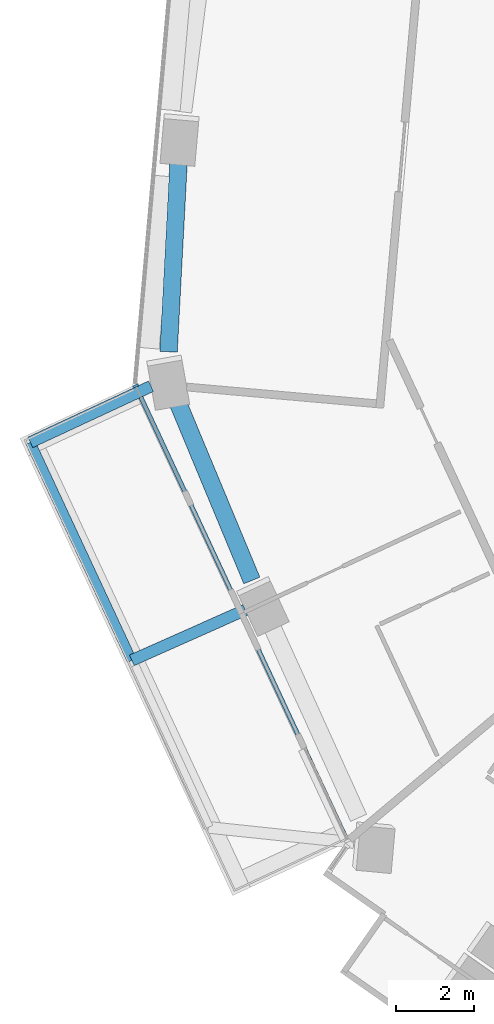
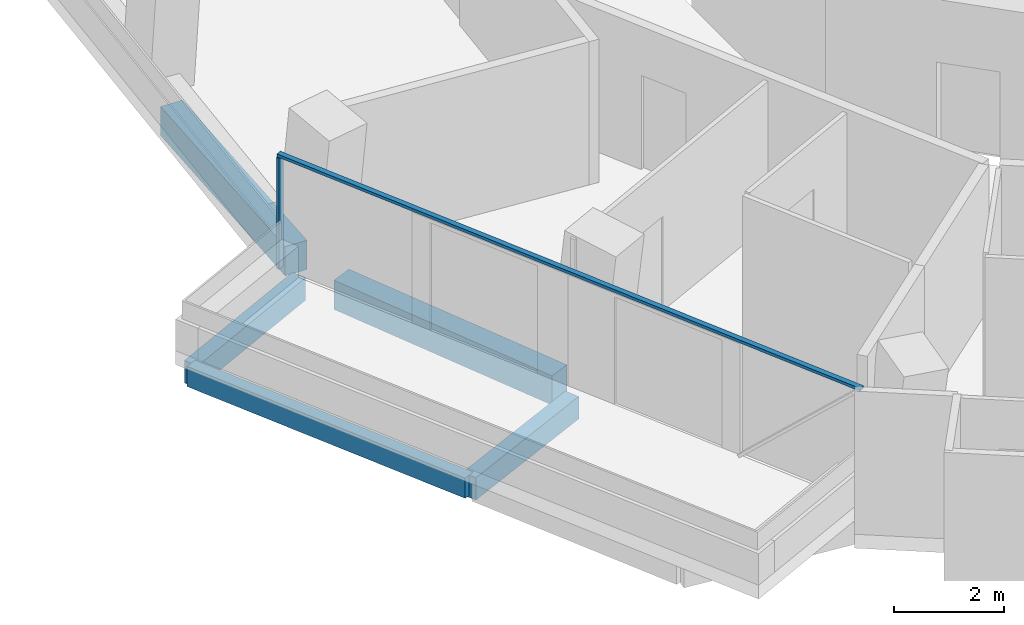
# One storey, part 4 of 23: 5 beams, 2 members, 1 element without a shape of its own.
"""IFC4 building model written with IfcOpenShell, lengths in metres."""

import ifcopenshell
import ifcopenshell.guid

model = None  # the IFC model being written
_history = None  # IfcOwnerHistory: only IFC2X3 demands one
_inside = {}  # id of a spatial element -> (the spatial element, [elements in it])
_under = {}  # id of a project, library or spatial element -> (it, [spatial elements below it])
_declared = {}  # id of a project -> (the project, [libraries it declares])
_typed = {}  # id of a type object -> (the type object, [elements of that type])
_made_of = {}  # id of a material, layer set ... -> (it, [elements and type objects made of it])


def new_model(schema):
    """Start an empty IFC model of exactly this schema.

    Asked for "IFC4X3", IfcOpenShell would pick the latest addendum, in which some entities
    have other attributes; the version numbers below select the first issue.
    IFC2X3 requires an IfcOwnerHistory on every rooted entity: one is made here for all.
    """
    global model, _history
    if schema == "IFC4X3":
        model = ifcopenshell.file(schema_version=(4, 3, 0, 0))
    else:
        model = ifcopenshell.file(schema=schema)
    _inside.clear()
    _under.clear()
    _declared.clear()
    _typed.clear()
    _made_of.clear()
    _history = None
    if model.schema == "IFC2X3":
        org = make("IfcOrganization", Name="unknown")
        user = make(
            "IfcPersonAndOrganization",
            ThePerson=make("IfcPerson", FamilyName="unknown"),
            TheOrganization=org,
        )
        app = make(
            "IfcApplication",
            ApplicationDeveloper=org,
            Version="unknown",
            ApplicationFullName="unknown",
            ApplicationIdentifier="unknown",
        )
        _history = make(
            "IfcOwnerHistory",
            OwningUser=user,
            OwningApplication=app,
            ChangeAction="ADDED",
            CreationDate=0,
        )
    return model


def make(cls, **values):
    """One entity of the class cls with the attributes given. An attribute that is None is left unset."""
    return model.create_entity(
        cls, **{name: value for name, value in values.items() if value is not None}
    )


def rooted(cls, **values):
    """An entity with a GlobalId (a new one), such as an element, a storey or a relation."""
    return make(cls, GlobalId=ifcopenshell.guid.new(), OwnerHistory=_history, **values)


def si_unit(unit_type, name, prefix=None):
    """IfcSIUnit, for example si_unit("LENGTHUNIT", "METRE", prefix="MILLI")."""
    return make("IfcSIUnit", UnitType=unit_type, Prefix=prefix, Name=name)


def assignment(units):
    """IfcUnitAssignment: the units of a project."""
    return None if units is None else make("IfcUnitAssignment", Units=units)


def point(xyz):
    """IfcCartesianPoint."""
    return None if xyz is None else make("IfcCartesianPoint", Coordinates=xyz)


def direction(xyz):
    """IfcDirection."""
    return None if xyz is None else make("IfcDirection", DirectionRatios=xyz)


def frame(location, z_axis=None, x_axis=None):
    """IfcAxis2Placement3D, a coordinate frame: its origin and axes. An axis left out is left unset."""
    return make(
        "IfcAxis2Placement3D",
        Location=point(location),
        Axis=direction(z_axis),
        RefDirection=direction(x_axis),
    )


def frame_2d(location, x_axis=None):
    """IfcAxis2Placement2D, a coordinate frame in the plane: its origin and x axis."""
    return make(
        "IfcAxis2Placement2D", Location=point(location), RefDirection=direction(x_axis)
    )


def origin():
    """The frame at (0, 0, 0) with its axes left unset."""
    return frame((0.0, 0.0, 0.0))


def origin_2d():
    """The frame at (0, 0) in the plane with its x axis left unset."""
    return frame_2d((0.0, 0.0))


def place(relative_to, where):
    """IfcLocalPlacement: puts the frame where relative to a parent placement (None: the world)."""
    return make(
        "IfcLocalPlacement", PlacementRelTo=relative_to, RelativePlacement=where
    )


def context(
    kind, dimensions, precision=None, world=None, true_north=None, identifier=None
):
    """IfcGeometricRepresentationContext, for example the 3D "Model" context."""
    return make(
        "IfcGeometricRepresentationContext",
        ContextIdentifier=identifier,
        ContextType=kind,
        CoordinateSpaceDimension=dimensions,
        Precision=precision,
        WorldCoordinateSystem=world,
        TrueNorth=true_north,
    )


def subcontext(parent, identifier, kind, view, scale=None):
    """IfcGeometricRepresentationSubContext, for example "Body" below "Model"."""
    return make(
        "IfcGeometricRepresentationSubContext",
        ContextIdentifier=identifier,
        ContextType=kind,
        ParentContext=parent,
        TargetScale=scale,
        TargetView=view,
    )


def project(units=None, contexts=None):
    """IfcProject with its units and contexts."""
    return rooted(
        "IfcProject",
        Name="project",
        RepresentationContexts=contexts,
        UnitsInContext=assignment(units),
    )


def spatial(cls, under=None, at=None, **own):
    """A site, building, storey or space (cls), placed at a placement, below another one or the project."""
    s = rooted(cls, ObjectPlacement=at, **own)
    if under is not None:
        _under.setdefault(under.id(), (under, []))[1].append(s)
    return s


def profile(cls, at=None, kind="AREA", **sizes):
    """A parametric profile (cls). Its sizes go by their IFC names, for example OverallWidth=200.0."""
    return make(cls, ProfileType=kind, Position=at, **sizes)


def rectangle(**sizes):
    """IfcRectangleProfileDef."""
    return profile("IfcRectangleProfileDef", **sizes)


def extrude(swept, where, along, depth):
    """IfcExtrudedAreaSolid: the profile swept, set in the frame where, extruded along a direction by depth."""
    return make(
        "IfcExtrudedAreaSolid",
        SweptArea=swept,
        Position=where,
        ExtrudedDirection=direction(along),
        Depth=depth,
    )


def shape(context_of_items, identifier, shape_type, items):
    """IfcShapeRepresentation: the items that make up one representation, for example the "Body"."""
    return make(
        "IfcShapeRepresentation",
        ContextOfItems=context_of_items,
        RepresentationIdentifier=identifier,
        RepresentationType=shape_type,
        Items=items,
    )


def material(Name=None, Category=None):
    """IfcMaterial."""
    return make("IfcMaterial", Name=Name, Category=Category)


def layer(
    of_material, thickness, ventilated=None, Name=None, Category=None, Priority=None
):
    """IfcMaterialLayer: one layer of a wall or slab, of a material (None: an air gap)."""
    return make(
        "IfcMaterialLayer",
        Material=of_material,
        LayerThickness=thickness,
        IsVentilated=ventilated,
        Name=Name,
        Category=Category,
        Priority=Priority,
    )


def layer_set(layers, Name=None):
    """IfcMaterialLayerSet."""
    return make("IfcMaterialLayerSet", MaterialLayers=layers, LayerSetName=Name)


def material_profile(
    of_material, cross_section, Name=None, Category=None, Priority=None
):
    """IfcMaterialProfile: a cross section and its material."""
    return make(
        "IfcMaterialProfile",
        Name=Name,
        Material=of_material,
        Profile=cross_section,
        Priority=Priority,
        Category=Category,
    )


def profile_set(profiles, Name=None, composite=None):
    """IfcMaterialProfileSet."""
    return make(
        "IfcMaterialProfileSet",
        Name=Name,
        MaterialProfiles=profiles,
        CompositeProfile=composite,
    )


def made_of(thing, what):
    """Note that an element or type object is made of a material, layer set ...; save() writes the relation."""
    if what is not None:
        _made_of.setdefault(what.id(), (what, []))[1].append(thing)
    return thing


def type_object(cls, material=None, **own):
    """A type object (cls), such as IfcWallType, which elements share."""
    return made_of(rooted(cls, **own), material)


def element(
    cls,
    number,
    at=None,
    inside=None,
    cuts=None,
    type_object=None,
    material=None,
    context=None,
    identifier="Body",
    shape_type=None,
    held_by="IfcProductDefinitionShape",
    body=None,
    shapes=None,
    **own,
):
    """One element of the class cls, such as IfcWall. Its Tag is "e" and its number.

    at: its placement. inside: the storey or other place that contains it. cuts: it is an
    opening in that element (IfcRelVoidsElement). A single representation is given by context,
    identifier, shape_type and body (its items); several are given by shapes. held_by: the class
    of the entity that holds the representations. save() writes the other relations.
    """
    e = rooted(cls, Tag="e%d" % number, ObjectPlacement=at, **own)
    if body is not None:
        shapes = [shape(context, identifier, shape_type, body)]
    if shapes is not None:
        e.Representation = make(held_by, Representations=shapes)
    if inside is not None:
        _inside.setdefault(inside.id(), (inside, []))[1].append(e)
    if cuts is not None:
        rooted(
            "IfcRelVoidsElement", RelatingBuildingElement=cuts, RelatedOpeningElement=e
        )
    if type_object is not None:
        _typed.setdefault(type_object.id(), (type_object, []))[1].append(e)
    return made_of(e, material)


def aggregate(whole, parts):
    """IfcRelAggregates: a whole, such as a stair, and the parts it consists of."""
    return rooted("IfcRelAggregates", RelatingObject=whole, RelatedObjects=parts)


def save(model, path):
    """Write the relations noted so far, then the file.

    IfcRelAggregates (storeys below a building ...), IfcRelContainedInSpatialStructure (elements
    in a storey), IfcRelDefinesByType, IfcRelAssociatesMaterial and IfcRelDeclares: one each for
    every whole, place, type object, material and project.
    """
    for whole, parts in _under.values():
        aggregate(whole, parts)
    for where, things in _inside.values():
        rooted(
            "IfcRelContainedInSpatialStructure",
            RelatedElements=things,
            RelatingStructure=where,
        )
    for kind, things in _typed.values():
        rooted("IfcRelDefinesByType", RelatedObjects=things, RelatingType=kind)
    for what, things in _made_of.values():
        rooted("IfcRelAssociatesMaterial", RelatedObjects=things, RelatingMaterial=what)
    for by, libraries in _declared.values():
        rooted("IfcRelDeclares", RelatingContext=by, RelatedDefinitions=libraries)
    model.write(path)


model = new_model("IFC4")

# Units and contexts
model_context = context("Model", 3, precision=1e-05, world=origin(), true_north=direction((0.0, 1.0)))
body_context = subcontext(model_context, "Body", "Model", "MODEL_VIEW")
ifc_project = project(units=[si_unit("LENGTHUNIT", "METRE"), si_unit("AREAUNIT", "SQUARE_METRE"), si_unit("VOLUMEUNIT", "CUBIC_METRE"), si_unit("PLANEANGLEUNIT", "RADIAN"), si_unit("MASSUNIT", "GRAM", prefix="KILO")], contexts=[model_context])

# Site, building, storey
site_placement = place(None, origin())
site = spatial("IfcSite", under=ifc_project, at=site_placement, CompositionType="ELEMENT")
building_placement = place(site_placement, origin())
building = spatial("IfcBuilding", under=site, at=building_placement, Name="Verdalira Terraces Hotel", CompositionType="ELEMENT")
storey_placement = place(building_placement, frame((0.0, 0.0, 136.5)))
storey = spatial("IfcBuildingStorey", under=building, at=storey_placement, Name="L32", CompositionType="ELEMENT", Elevation=136.5)

# Beams
ifc_material_1 = material(Name="Concrete C40", Category="concrete")
ifc_material_profile_1 = material_profile(ifc_material_1, rectangle(XDim=0.300049, YDim=0.5, at=origin_2d()), Name="RC 300X500")
ifc_profile_set_1 = profile_set([ifc_material_profile_1], Name="Concrete C40")
beam_type_1 = type_object("IfcBeamType", Name="Balcony cantilever beam RC 300X500 C40", PredefinedType="BEAM", material=ifc_profile_set_1)
beam_1_placement = place(storey_placement, frame((-24.258301, -4.346436, -0.560059), z_axis=(-0.906611626, -0.421966064, 0.0), x_axis=(0.421966064, -0.906611626, 0.0)))
element("IfcBeam", 1, at=beam_1_placement, inside=storey, type_object=beam_type_1, Name="Balcony cantilever beam R13-1", PredefinedType="BEAM", context=body_context, shape_type="SweptSolid", body=[
    extrude(rectangle(XDim=0.300049, YDim=0.5, at=origin_2d()), origin(), (0.0, 0.0, 1.0), 3.431641),
])
beam_2_placement = place(storey_placement, frame((-21.829102, -10.113525, -0.560059), z_axis=(-0.91355974, -0.406704562, 0.0), x_axis=(0.406704562, -0.91355974, 0.0)))
element("IfcBeam", 2, at=beam_2_placement, inside=storey, type_object=beam_type_1, Name="Balcony cantilever beam R13-2", PredefinedType="BEAM", context=body_context, shape_type="SweptSolid", body=[
    extrude(rectangle(XDim=0.300049, YDim=0.5, at=origin_2d()), origin(), (0.0, 0.0, 1.0), 3.200684),
])
ifc_material_2 = material(Name="Concrete C40", Category="concrete")
ifc_material_profile_2 = material_profile(ifc_material_2, rectangle(XDim=0.25, YDim=0.449951, at=origin_2d()), Name="RC 250X450")
ifc_profile_set_2 = profile_set([ifc_material_profile_2], Name="Concrete C40")
beam_type_2 = type_object("IfcBeamType", Name="Balcony edge beam RC 250X450 C40", PredefinedType="BEAM", material=ifc_profile_set_2)
beam_3_placement = place(storey_placement, frame((-27.369385, -5.794434, -0.534912), z_axis=(0.421977684, -0.906606218, 0.0), x_axis=(0.906606218, 0.421977684, 0.0)))
element("IfcBeam", 3, at=beam_3_placement, inside=storey, type_object=beam_type_2, Name="Balcony edge beam R13-1", PredefinedType="BEAM", context=body_context, shape_type="SweptSolid", body=[
    extrude(rectangle(XDim=0.25, YDim=0.449951, at=origin_2d()), origin(), (0.0, 0.0, 1.0), 6.199951),
])

# Curtain wall, members
ifc_material_3 = material(Name="Clear glass", Category="glass")
ifc_layer = layer(ifc_material_3, 0.14990234375)
ifc_layer_set = layer_set([ifc_layer], Name="CW1 curtain wall")
curtain_wall_type = type_object("IfcCurtainWallType", Name="CW1 curtain wall", PredefinedType="NOTDEFINED", material=ifc_layer_set)
curtain_wall_placement = place(storey_placement, origin())
curtain_wall = element("IfcCurtainWall", 4, at=curtain_wall_placement, inside=storey, type_object=curtain_wall_type, Name="CW1 curtain wall L32 edge 13", PredefinedType="NOTDEFINED")
ifc_material_4 = material(Name="Terracotta frame", Category="masonry")
ifc_material_profile_3 = material_profile(ifc_material_4, rectangle(XDim=0.060059, YDim=0.149902, at=origin_2d()), Name="MU 60x150")
ifc_profile_set_3 = profile_set([ifc_material_profile_3], Name="Terracotta frame")
member_type_1 = type_object("IfcMemberType", Name="CW1 mullion 60x150", PredefinedType="MULLION", material=ifc_profile_set_3)
member_1_placement = place(storey_placement, frame((-24.655029, -4.339355, 0.0), z_axis=(0.0, 0.0, 1.0), x_axis=(0.421985437, -0.906602609, 0.0)))
member_1 = element("IfcMember", 5, at=member_1_placement, type_object=member_type_1, Name="CW1 mullion", PredefinedType="MULLION", context=body_context, shape_type="SweptSolid", body=[
    extrude(rectangle(XDim=0.060059, YDim=0.149902, at=origin_2d()), origin(), (0.0, 0.0, 1.0), 2.475098),
])
ifc_material_5 = material(Name="Terracotta frame", Category="masonry")
ifc_material_profile_4 = material_profile(ifc_material_5, rectangle(XDim=0.110107, YDim=0.064941, at=origin_2d()), Name="TR 65x110")
ifc_profile_set_4 = profile_set([ifc_material_profile_4], Name="Terracotta frame")
member_type_2 = type_object("IfcMemberType", Name="CW1 transom 65x110", PredefinedType="USERDEFINED", material=ifc_profile_set_4)
member_2_placement = place(storey_placement, frame((-24.66748, -4.312012, 2.507568), z_axis=(0.421970234, -0.906609686, 0.0), x_axis=(0.906609686, 0.421970234, 0.0)))
member_2 = element("IfcMember", 6, at=member_2_placement, type_object=member_type_2, Name="CW1 transom", ObjectType="TRANSOM", PredefinedType="USERDEFINED", context=body_context, shape_type="SweptSolid", body=[
    extrude(rectangle(XDim=0.110107, YDim=0.064941, at=origin_2d()), origin(), (0.0, 0.0, 1.0), 13.0),
])
aggregate(curtain_wall, [member_1, member_2])

# Beams
ifc_material_6 = material(Name="Concrete C50", Category="concrete")
ifc_material_profile_5 = material_profile(ifc_material_6, rectangle(XDim=0.449951, YDim=0.649902, at=origin_2d()), Name="RC 450X650")
ifc_profile_set_5 = profile_set([ifc_material_profile_5], Name="Concrete C50")
beam_type_3 = type_object("IfcBeamType", Name="Spandrel beam RC 450X650 C50", PredefinedType="SPANDREL", material=ifc_profile_set_5)
beam_4_placement = place(storey_placement, frame((-23.541504, 1.548584, -0.63501), z_axis=(-0.052701996, -0.998610284, 0.0), x_axis=(0.998610284, -0.052701996, 0.0)))
element("IfcBeam", 7, at=beam_4_placement, inside=storey, type_object=beam_type_3, Name="Spandrel beam B05", PredefinedType="SPANDREL", context=body_context, shape_type="SweptSolid", body=[
    extrude(rectangle(XDim=0.449951, YDim=0.649902, at=origin_2d()), origin(), (0.0, 0.0, 1.0), 5.012451),
])
beam_5_placement = place(storey_placement, frame((-23.584961, -4.725586, -0.63501), z_axis=(0.384162552, -0.923265473, 0.0), x_axis=(0.923265473, 0.384162552, 0.0)))
element("IfcBeam", 8, at=beam_5_placement, inside=storey, type_object=beam_type_3, Name="Spandrel beam B06", PredefinedType="SPANDREL", context=body_context, shape_type="SweptSolid", body=[
    extrude(rectangle(XDim=0.449951, YDim=0.649902, at=origin_2d()), origin(), (0.0, 0.0, 1.0), 5.015381),
])

save(model, "model.ifc")
